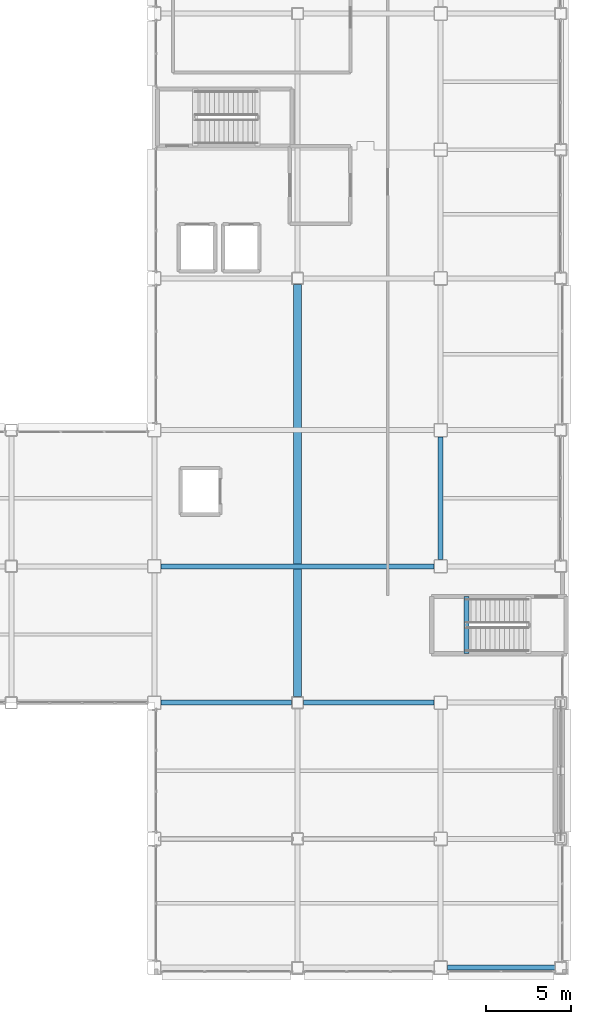
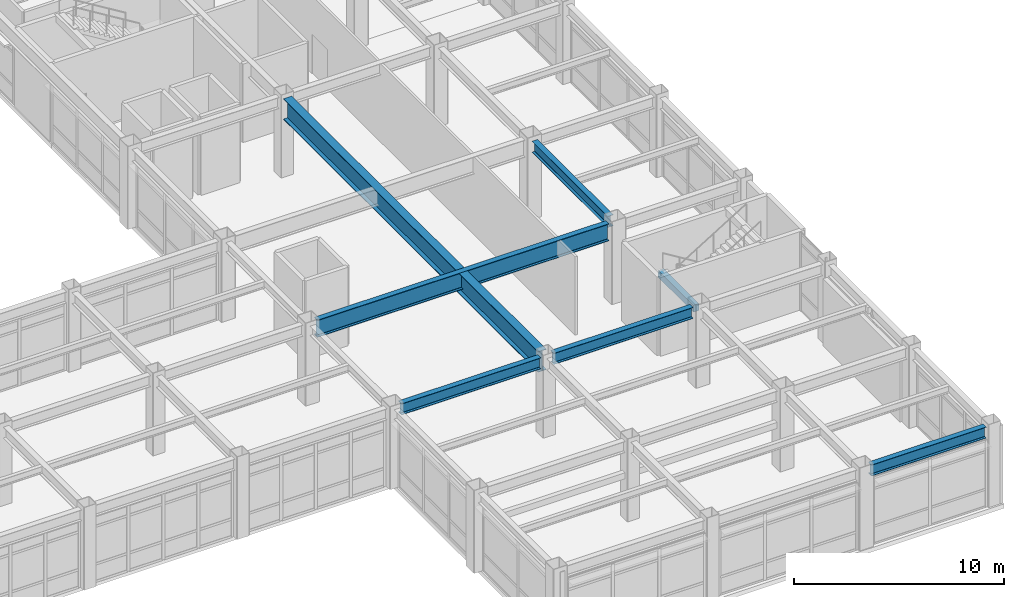
# One storey, part 86 of 154: 7 beams.
"""IFC4 building model written with IfcOpenShell, lengths in metres."""

from ifc_helpers import new_model, si_unit, direction, frame, origin, origin_2d, place, context, subcontext, project, spatial, rectangle, i_section, extrude, material, material_profile, profile_set, type_object, element, save


model = new_model("IFC4")

# Units and contexts
model_context = context("Model", 3, precision=1e-05, world=origin(), true_north=direction((0.0, 1.0)))
body_context = subcontext(model_context, "Body", "Model", "MODEL_VIEW")
ifc_project = project(units=[si_unit("LENGTHUNIT", "METRE"), si_unit("AREAUNIT", "SQUARE_METRE"), si_unit("VOLUMEUNIT", "CUBIC_METRE"), si_unit("PLANEANGLEUNIT", "RADIAN"), si_unit("MASSUNIT", "GRAM", prefix="KILO")], contexts=[model_context])

# Site, building, storey
site_placement = place(None, origin())
site = spatial("IfcSite", under=ifc_project, at=site_placement, CompositionType="ELEMENT")
building_placement = place(site_placement, origin())
building = spatial("IfcBuilding", under=site, at=building_placement, Name="Kazehara Bluff Congress Hotel", CompositionType="ELEMENT")
storey_placement = place(building_placement, frame((0.0, 0.0, 10.199951171875)))
storey = spatial("IfcBuildingStorey", under=building, at=storey_placement, Name="L02", CompositionType="ELEMENT", Elevation=10.199951171875)

# Beams
ifc_material_1 = material(Name="Steel SN490B", Category="steel")
ifc_material_profile_1 = material_profile(ifc_material_1, i_section(OverallWidth=0.300048828125, OverallDepth=0.64990234375, WebThickness=0.011962890625, FlangeThickness=0.02001953125, FilletRadius=0.012939453125, at=origin_2d()))
ifc_profile_set_1 = profile_set([ifc_material_profile_1], Name="Steel SN490B")
beam_type_1 = type_object("IfcBeamType", Name="TP-G-03", PredefinedType="BEAM", material=ifc_profile_set_1)
beam_1_placement = place(storey_placement, frame((160.5, 24.39990234375, 4.235107421875), z_axis=(0.0, 1.0, 0.0), x_axis=(-1.0, 0.0, 0.0)))
element("IfcBeam", 1, at=beam_1_placement, inside=storey, type_object=beam_type_1, Name="L02 girder G-03 160", PredefinedType="BEAM", context=body_context, shape_type="SweptSolid", body=[
    extrude(i_section(OverallWidth=0.300048828125, OverallDepth=0.64990234375, WebThickness=0.011962890625, FlangeThickness=0.02001953125, FilletRadius=0.012939453125, at=origin_2d()), origin(), (0.0, 0.0, 1.0), 7.2001953125),
])
beam_2_placement = place(storey_placement, frame((160.89990234375, 0.449951171875, 4.235107421875), z_axis=(1.0, 0.0, 0.0), x_axis=(0.0, 1.0, 0.0)))
element("IfcBeam", 2, at=beam_2_placement, inside=storey, type_object=beam_type_1, Name="L02 girder G-03 182", PredefinedType="BEAM", context=body_context, shape_type="SweptSolid", body=[
    extrude(i_section(OverallWidth=0.300048828125, OverallDepth=0.64990234375, WebThickness=0.011962890625, FlangeThickness=0.02001953125, FilletRadius=0.012939453125, at=origin_2d()), origin(), (0.0, 0.0, 1.0), 6.300048828125),
])
beam_3_placement = place(storey_placement, frame((144.10009765625, 16.0, 4.235107421875), z_axis=(1.0, 0.0, 0.0), x_axis=(0.0, 1.0, 0.0)))
element("IfcBeam", 3, at=beam_3_placement, inside=storey, type_object=beam_type_1, Name="L02 girder G-03 190", PredefinedType="BEAM", context=body_context, shape_type="SweptSolid", body=[
    extrude(i_section(OverallWidth=0.300048828125, OverallDepth=0.64990234375, WebThickness=0.011962890625, FlangeThickness=0.02001953125, FilletRadius=0.012939453125, at=origin_2d()), origin(), (0.0, 0.0, 1.0), 7.64990234375),
])
beam_4_placement = place(storey_placement, frame((152.449951171875, 16.0, 4.235107421875), z_axis=(1.0, 0.0, 0.0), x_axis=(0.0, 1.0, 0.0)))
element("IfcBeam", 4, at=beam_4_placement, inside=storey, type_object=beam_type_1, Name="L02 girder G-03 191", PredefinedType="BEAM", context=body_context, shape_type="SweptSolid", body=[
    extrude(i_section(OverallWidth=0.300048828125, OverallDepth=0.64990234375, WebThickness=0.011962890625, FlangeThickness=0.02001953125, FilletRadius=0.012939453125, at=origin_2d()), origin(), (0.0, 0.0, 1.0), 7.650146484375),
])
ifc_material_2 = material(Name="Steel SN490B", Category="steel")
ifc_material_profile_2 = material_profile(ifc_material_2, i_section(OverallWidth=0.300048828125, OverallDepth=1.0, WebThickness=0.01611328125, FlangeThickness=0.028076171875, FilletRadius=0.02197265625, at=origin_2d()))
ifc_profile_set_2 = profile_set([ifc_material_profile_2], Name="Steel SN490B")
beam_type_2 = type_object("IfcBeamType", Name="TP-G-09", PredefinedType="BEAM", material=ifc_profile_set_2)
beam_5_placement = place(storey_placement, frame((144.10009765625, 24.0, 4.06005859375), z_axis=(1.0, 0.0, 0.0), x_axis=(0.0, 1.0, 0.0)))
element("IfcBeam", 5, at=beam_5_placement, inside=storey, type_object=beam_type_2, Name="L02 girder G-09 197", PredefinedType="BEAM", context=body_context, shape_type="SweptSolid", body=[
    extrude(i_section(OverallWidth=0.300048828125, OverallDepth=1.0, WebThickness=0.01611328125, FlangeThickness=0.028076171875, FilletRadius=0.02197265625, at=origin_2d()), origin(), (0.0, 0.0, 1.0), 16.0),
])
ifc_material_3 = material(Name="Steel SN490B", Category="steel")
ifc_material_profile_3 = material_profile(ifc_material_3, i_section(OverallWidth=0.449951171875, OverallDepth=1.199951171875, WebThickness=0.02001953125, FlangeThickness=0.031982421875, at=origin_2d()))
ifc_profile_set_3 = profile_set([ifc_material_profile_3], Name="Steel SN490B")
beam_type_3 = type_object("IfcBeamType", Name="TP-G-10", PredefinedType="BEAM", material=ifc_profile_set_3)
beam_6_placement = place(storey_placement, frame((152.10009765625, 16.35009765625, 3.9599609375), z_axis=(0.0, 1.0, 0.0), x_axis=(-1.0, 0.0, 0.0)))
element("IfcBeam", 6, at=beam_6_placement, inside=storey, type_object=beam_type_3, Name="L02 girder G-10 153", PredefinedType="BEAM", context=body_context, shape_type="SweptSolid", body=[
    extrude(i_section(OverallWidth=0.449951171875, OverallDepth=1.199951171875, WebThickness=0.02001953125, FlangeThickness=0.031982421875, at=origin_2d()), origin(), (0.0, 0.0, 1.0), 24.199951171875),
])
ifc_material_4 = material(Name="Concrete C40/50", Category="concrete")
ifc_material_profile_4 = material_profile(ifc_material_4, rectangle(XDim=0.300048828125, YDim=0.39990234375, at=origin_2d()))
ifc_profile_set_4 = profile_set([ifc_material_profile_4], Name="Concrete C40/50")
beam_type_4 = type_object("IfcBeamType", Name="TP-LN-02", PredefinedType="LINTEL", material=ifc_profile_set_4)
beam_7_placement = place(storey_placement, frame((162.010009765625, 22.22509765625, 2.02001953125), z_axis=(0.0, -1.0, 0.0), x_axis=(1.0, 0.0, 0.0)))
element("IfcBeam", 7, at=beam_7_placement, inside=storey, type_object=beam_type_4, Name="L02 ST-10 half-landing support beam 1", PredefinedType="LINTEL", context=body_context, shape_type="SweptSolid", body=[
    extrude(rectangle(XDim=0.300048828125, YDim=0.39990234375, at=origin_2d()), origin(), (0.0, 0.0, 1.0), 3.35009765625),
])

save(model, "model.ifc")
